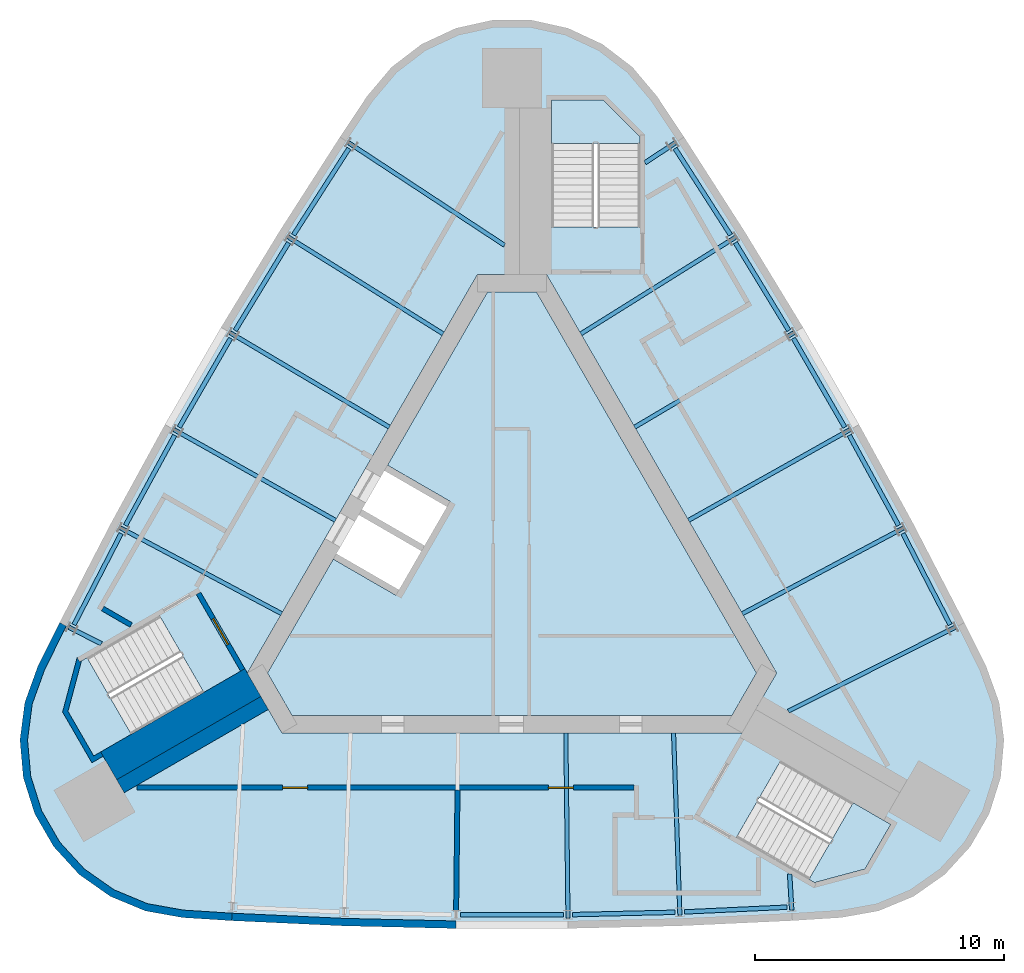
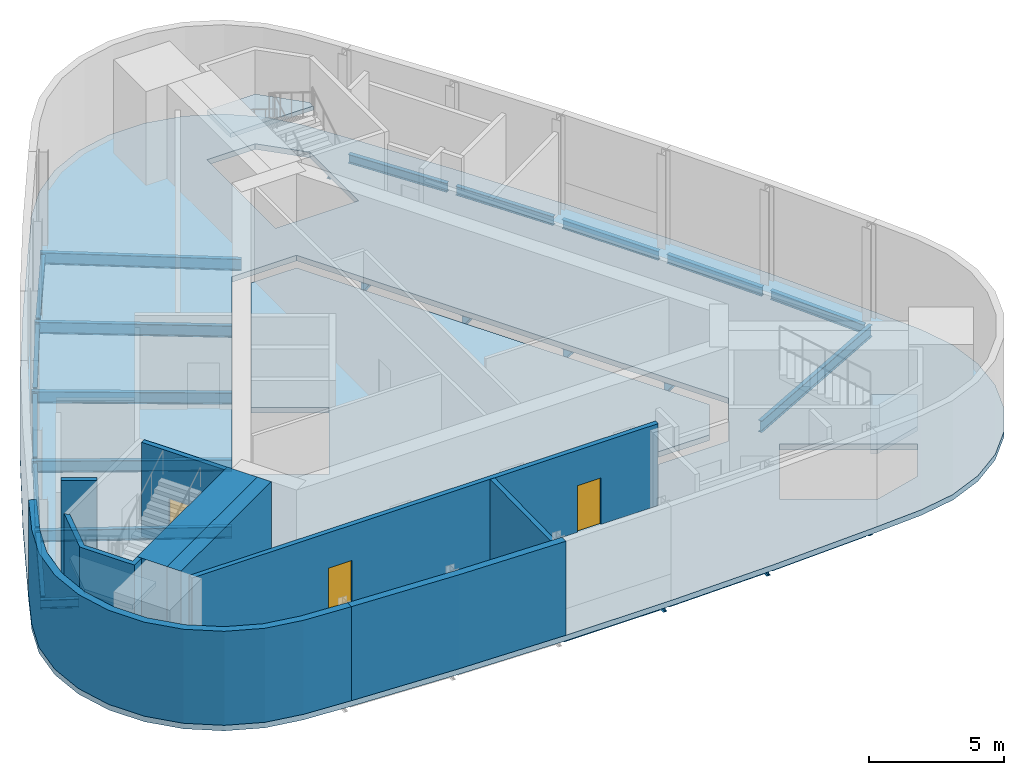
# One storey, part 3 of 7: 28 beams, 9 walls, 5 slabs, 3 doors, 3 openings, 3 elements without a shape of their own.
"""IFC4 building model written with IfcOpenShell, lengths in metres."""

from ifc_helpers import new_model, si_unit, direction, frame, frame_2d, origin, origin_2d, place, context, subcontext, project, spatial, polyline, rectangle, i_section, outline, extrude, material, layer, layer_set, material_profile, profile_set, type_object, element, fill, aggregate, save


model = new_model("IFC4")

# Units and contexts
model_context = context("Model", 3, precision=1e-05, world=origin(), true_north=direction((0.0, 1.0)))
body_context = subcontext(model_context, "Body", "Model", "MODEL_VIEW")
ifc_project = project(units=[si_unit("LENGTHUNIT", "METRE"), si_unit("AREAUNIT", "SQUARE_METRE"), si_unit("VOLUMEUNIT", "CUBIC_METRE"), si_unit("PLANEANGLEUNIT", "RADIAN"), si_unit("MASSUNIT", "GRAM", prefix="KILO")], contexts=[model_context])

# Site, building, storey
site_placement = place(None, origin())
site = spatial("IfcSite", under=ifc_project, at=site_placement, CompositionType="ELEMENT")
building_placement = place(site_placement, origin())
building = spatial("IfcBuilding", under=site, at=building_placement, Name="Noor Cloister Tower", CompositionType="ELEMENT")
storey_placement = place(building_placement, frame((0.0, 0.0, 279.60009765625)))
storey = spatial("IfcBuildingStorey", under=building, at=storey_placement, Name="L71", CompositionType="ELEMENT", Elevation=279.60009765625)

# Beams
ifc_material_1 = material(Name="Steel ASTM A992 Gr 50", Category="steel")
ifc_material_profile_1 = material_profile(ifc_material_1, i_section(OverallWidth=0.177978515625, OverallDepth=0.406005859375, WebThickness=0.0078125, FlangeThickness=0.0126953125, FilletRadius=0.01025390625, at=origin_2d()), Name="W410x60")
ifc_profile_set_1 = profile_set([ifc_material_profile_1], Name="Steel ASTM A992 Gr 50")
beam_type_1 = type_object("IfcBeamType", Name="Radial beam W410x60", PredefinedType="BEAM", material=ifc_profile_set_1)
for number, where, z_axis, x_axis, name in (
    (1, (-17.762451171875, -2.69921875, -0.453125), (0.893513410786, -0.449036507141, 0.0), (0.449036507141, 0.893513410786, 0.0), "Radial beam NW 06 L71"),
    (2, (11.218994140625, -14.033203125, -0.453125), (-0.058088486933, 0.998311438222, 0.0), (-0.998311438222, -0.058088486933, 0.0), "Radial beam S 06 L71"),
    (3, (6.543701171875, 16.732421875, -0.453125), (-0.835592525802, -0.549349734526, 0.0), (0.549349734526, -0.835592525802, 0.0), "Radial beam NE 06 L71"),
):
    element("IfcBeam", number, at=place(storey_placement, frame(where, z_axis=z_axis, x_axis=x_axis)), inside=storey, type_object=beam_type_1, Name=name, PredefinedType="BEAM", context=body_context, shape_type="SweptSolid", body=[
        extrude(i_section(OverallWidth=0.177978515625, OverallDepth=0.406005859375, WebThickness=0.0078125, FlangeThickness=0.0126953125, FilletRadius=0.01025390625, at=origin_2d()), origin(), (0.0, 0.0, 1.0), 1.44580078125),
    ])
ifc_material_2 = material(Name="Steel ASTM A992 Gr 50", Category="steel")
ifc_material_profile_2 = material_profile(ifc_material_2, i_section(OverallWidth=0.166015625, OverallDepth=0.528076171875, WebThickness=0.009765625, FlangeThickness=0.013671875, FilletRadius=0.0126953125, at=origin_2d()), Name="W530x74")
ifc_profile_set_2 = profile_set([ifc_material_profile_2], Name="Steel ASTM A992 Gr 50")
beam_type_2 = type_object("IfcBeamType", Name="Radial beam W530x74", PredefinedType="BEAM", material=ifc_profile_set_2)
beam_1_placement = place(storey_placement, frame((-6.543701171875, 16.732421875, -0.51416015625), z_axis=(0.835597066484, -0.549342827825, 0.0), x_axis=(0.549342827825, 0.835597066484, 0.0)))
element("IfcBeam", 4, at=beam_1_placement, inside=storey, type_object=beam_type_2, Name="Radial beam NW 01 L71", PredefinedType="BEAM", context=body_context, shape_type="SweptSolid", body=[
    extrude(i_section(OverallWidth=0.166015625, OverallDepth=0.528076171875, WebThickness=0.009765625, FlangeThickness=0.013671875, FilletRadius=0.0126953125, at=origin_2d()), origin(), (0.0, 0.0, 1.0), 7.47216796875),
])
beam_2_placement = place(storey_placement, frame((-8.966552734375, 12.952392578125, -0.51416015625), z_axis=(0.848095755563, -0.529842985606, 0.0), x_axis=(0.529842985606, 0.848095755563, 0.0)))
element("IfcBeam", 5, at=beam_2_placement, inside=storey, type_object=beam_type_2, Name="Radial beam NW 02 L71", PredefinedType="BEAM", context=body_context, shape_type="SweptSolid", body=[
    extrude(i_section(OverallWidth=0.166015625, OverallDepth=0.528076171875, WebThickness=0.009765625, FlangeThickness=0.013671875, FilletRadius=0.0126953125, at=origin_2d()), origin(), (0.0, 0.0, 1.0), 7.317626953125),
])
beam_3_placement = place(storey_placement, frame((-11.301025390625, 9.116943359375, -0.51416015625), z_axis=(0.8601674766, -0.510011678492, 0.0), x_axis=(0.510011678492, 0.8601674766, 0.0)))
element("IfcBeam", 6, at=beam_3_placement, inside=storey, type_object=beam_type_2, Name="Radial beam NW 03 L71", PredefinedType="BEAM", context=body_context, shape_type="SweptSolid", body=[
    extrude(i_section(OverallWidth=0.166015625, OverallDepth=0.528076171875, WebThickness=0.009765625, FlangeThickness=0.013671875, FilletRadius=0.0126953125, at=origin_2d()), origin(), (0.0, 0.0, 1.0), 7.41796875),
])
beam_4_placement = place(storey_placement, frame((-13.546142578125, 5.228515625, -0.51416015625), z_axis=(0.871771481583, -0.489912730901, 0.0), x_axis=(0.489912730901, 0.871771481583, 0.0)))
element("IfcBeam", 7, at=beam_4_placement, inside=storey, type_object=beam_type_2, Name="Radial beam NW 04 L71", PredefinedType="BEAM", context=body_context, shape_type="SweptSolid", body=[
    extrude(i_section(OverallWidth=0.166015625, OverallDepth=0.528076171875, WebThickness=0.009765625, FlangeThickness=0.013671875, FilletRadius=0.0126953125, at=origin_2d()), origin(), (0.0, 0.0, 1.0), 7.417724609375),
])
beam_5_placement = place(storey_placement, frame((-15.7001953125, 1.2890625, -0.51416015625), z_axis=(0.882900936167, -0.469559300745, 0.0), x_axis=(0.469559300745, 0.882900936167, 0.0)))
element("IfcBeam", 8, at=beam_5_placement, inside=storey, type_object=beam_type_2, Name="Radial beam NW 05 L71", PredefinedType="BEAM", context=body_context, shape_type="SweptSolid", body=[
    extrude(i_section(OverallWidth=0.166015625, OverallDepth=0.528076171875, WebThickness=0.009765625, FlangeThickness=0.013671875, FilletRadius=0.0126953125, at=origin_2d()), origin(), (0.0, 0.0, 1.0), 7.317626953125),
])
beam_6_placement = place(storey_placement, frame((2.244873046875, -14.345458984375, -0.51416015625), z_axis=(-0.011585411151, 0.999932886872, 0.0), x_axis=(-0.999932886872, -0.011585411151, 0.0)))
element("IfcBeam", 9, at=beam_6_placement, inside=storey, type_object=beam_type_2, Name="Radial beam S 04 L71", PredefinedType="BEAM", context=body_context, shape_type="SweptSolid", body=[
    extrude(i_section(OverallWidth=0.166015625, OverallDepth=0.528076171875, WebThickness=0.009765625, FlangeThickness=0.013671875, FilletRadius=0.0126953125, at=origin_2d()), origin(), (0.0, 0.0, 1.0), 7.417724609375),
])
beam_7_placement = place(storey_placement, frame((6.733642578125, -14.241455078125, -0.51416015625), z_axis=(-0.034764484893, 0.999395532605, 0.0), x_axis=(-0.999395532605, -0.034764484893, 0.0)))
element("IfcBeam", 10, at=beam_7_placement, inside=storey, type_object=beam_type_2, Name="Radial beam S 05 L71", PredefinedType="BEAM", context=body_context, shape_type="SweptSolid", body=[
    extrude(i_section(OverallWidth=0.166015625, OverallDepth=0.528076171875, WebThickness=0.009765625, FlangeThickness=0.013671875, FilletRadius=0.0126953125, at=origin_2d()), origin(), (0.0, 0.0, 1.0), 7.317626953125),
])
beam_8_placement = place(storey_placement, frame((17.762451171875, -2.69921875, -0.51416015625), z_axis=(-0.893543245424, -0.448977135897, 0.0), x_axis=(0.448977135897, -0.893543245424, 0.0)))
element("IfcBeam", 11, at=beam_8_placement, inside=storey, type_object=beam_type_2, Name="Radial beam NE 01 L71", PredefinedType="BEAM", context=body_context, shape_type="SweptSolid", body=[
    extrude(i_section(OverallWidth=0.166015625, OverallDepth=0.528076171875, WebThickness=0.009765625, FlangeThickness=0.013671875, FilletRadius=0.0126953125, at=origin_2d()), origin(), (0.0, 0.0, 1.0), 7.471923828125),
])
beam_9_placement = place(storey_placement, frame((15.7001953125, 1.2890625, -0.51416015625), z_axis=(-0.882900936167, -0.469559300745, 0.0), x_axis=(0.469559300745, -0.882900936167, 0.0)))
element("IfcBeam", 12, at=beam_9_placement, inside=storey, type_object=beam_type_2, Name="Radial beam NE 02 L71", PredefinedType="BEAM", context=body_context, shape_type="SweptSolid", body=[
    extrude(i_section(OverallWidth=0.166015625, OverallDepth=0.528076171875, WebThickness=0.009765625, FlangeThickness=0.013671875, FilletRadius=0.0126953125, at=origin_2d()), origin(), (0.0, 0.0, 1.0), 7.317626953125),
])
beam_10_placement = place(storey_placement, frame((13.546142578125, 5.228515625, -0.51416015625), z_axis=(-0.871771481583, -0.489912730901, 0.0), x_axis=(0.489912730901, -0.871771481583, 0.0)))
element("IfcBeam", 13, at=beam_10_placement, inside=storey, type_object=beam_type_2, Name="Radial beam NE 03 L71", PredefinedType="BEAM", context=body_context, shape_type="SweptSolid", body=[
    extrude(i_section(OverallWidth=0.166015625, OverallDepth=0.528076171875, WebThickness=0.009765625, FlangeThickness=0.013671875, FilletRadius=0.0126953125, at=origin_2d()), origin(), (0.0, 0.0, 1.0), 7.417724609375),
])
beam_11_placement = place(storey_placement, frame((11.301025390625, 9.116943359375, -0.51416015625), z_axis=(-0.8601674766, -0.510011678492, 0.0), x_axis=(0.510011678492, -0.8601674766, 0.0)))
element("IfcBeam", 14, at=beam_11_placement, inside=storey, type_object=beam_type_2, Name="Radial beam NE 04 L71", PredefinedType="BEAM", context=body_context, shape_type="SweptSolid", body=[
    extrude(i_section(OverallWidth=0.166015625, OverallDepth=0.528076171875, WebThickness=0.009765625, FlangeThickness=0.013671875, FilletRadius=0.0126953125, at=origin_2d()), origin(), (0.0, 0.0, 1.0), 7.41796875),
])
beam_12_placement = place(storey_placement, frame((8.966552734375, 12.952392578125, -0.51416015625), z_axis=(-0.848095755563, -0.529842985606, 0.0), x_axis=(0.529842985606, -0.848095755563, 0.0)))
element("IfcBeam", 15, at=beam_12_placement, inside=storey, type_object=beam_type_2, Name="Radial beam NE 05 L71", PredefinedType="BEAM", context=body_context, shape_type="SweptSolid", body=[
    extrude(i_section(OverallWidth=0.166015625, OverallDepth=0.528076171875, WebThickness=0.009765625, FlangeThickness=0.013671875, FilletRadius=0.0126953125, at=origin_2d()), origin(), (0.0, 0.0, 1.0), 7.317626953125),
])
ifc_material_3 = material(Name="Steel ASTM A992 Gr 50", Category="steel")
ifc_material_profile_3 = material_profile(ifc_material_3, i_section(OverallWidth=0.177978515625, OverallDepth=0.406005859375, WebThickness=0.0078125, FlangeThickness=0.0126953125, FilletRadius=0.01025390625, at=origin_2d()), Name="W410x60")
ifc_profile_set_3 = profile_set([ifc_material_profile_3], Name="Steel ASTM A992 Gr 50")
beam_type_3 = type_object("IfcBeamType", Name="Spandrel beam W410x60", PredefinedType="SPANDREL", material=ifc_profile_set_3)
for number, where, z_axis, x_axis, name in (
    (16, (-6.541015625, 16.510498046875, -0.453125), (-0.539591790673, -0.841926777956, 0.0), (0.841926777956, -0.539591790673, 0.0), "Spandrel beam NW 01 L71"),
    (17, (-8.958740234375, 12.73046875, -0.453125), (-0.519967629608, -0.854185965794, 0.0), (0.854185965794, -0.519967629608, 0.0), "Spandrel beam NW 02 L71"),
    (18, (-11.2880859375, 8.8955078125, -0.453125), (-0.499989236795, -0.866031617834, 0.0), (0.866031617834, -0.499989236795, 0.0), "Spandrel beam NW 03 L71"),
    (19, (-13.528076171875, 5.00732421875, -0.453125), (-0.479794519486, -0.877380885973, 0.0), (0.877380885973, -0.479794519486, 0.0), "Spandrel beam NW 04 L71"),
    (20, (-15.677001953125, 1.068359375, -0.453125), (-0.459334235581, -0.888263508213, 0.0), (0.888263508213, -0.459334235581, 0.0), "Spandrel beam NW 05 L71"),
    (21, (-2.0595703125, -14.2236328125, -0.453125), (1.0, 0.0, 0.0), (0.0, 1.0, 0.0), "Spandrel beam S 03 L71"),
):
    element("IfcBeam", number, at=place(storey_placement, frame(where, z_axis=z_axis, x_axis=x_axis)), inside=storey, type_object=beam_type_3, Name=name, PredefinedType="SPANDREL", context=body_context, shape_type="SweptSolid", body=[
        extrude(i_section(OverallWidth=0.177978515625, OverallDepth=0.406005859375, WebThickness=0.0078125, FlangeThickness=0.0126953125, FilletRadius=0.01025390625, at=origin_2d()), origin(), (0.0, 0.0, 1.0), 4.119140625),
    ])
beam_13_placement = place(storey_placement, frame((2.427490234375, -14.21923828125, -0.453125), z_axis=(0.999731452345, 0.023173760841, 0.0), x_axis=(-0.023173760841, 0.999731452345, 0.0)))
element("IfcBeam", 22, at=beam_13_placement, inside=storey, type_object=beam_type_3, Name="Spandrel beam S 04 L71", PredefinedType="SPANDREL", context=body_context, shape_type="SweptSolid", body=[
    extrude(i_section(OverallWidth=0.177978515625, OverallDepth=0.406005859375, WebThickness=0.0078125, FlangeThickness=0.0126953125, FilletRadius=0.01025390625, at=origin_2d()), origin(), (0.0, 0.0, 1.0), 4.119384765625),
])
for number, where, z_axis, x_axis, name in (
    (23, (6.913330078125, -14.11083984375, -0.453125), (0.998925325351, 0.046348617801, 0.0), (-0.046348617801, 0.998925325351, 0.0), "Spandrel beam S 05 L71"),
    (24, (17.569091796875, -2.590576171875, -0.453125), (-0.459334235581, 0.888263508213, 0.0), (-0.888263508213, -0.459334235581, 0.0), "Spandrel beam NE 01 L71"),
    (25, (15.50439453125, 1.393310546875, -0.453125), (-0.479794519486, 0.877380885973, 0.0), (-0.877380885973, -0.479794519486, 0.0), "Spandrel beam NE 02 L71"),
    (26, (13.34765625, 5.328125, -0.453125), (-0.499989236795, 0.866031617834, 0.0), (-0.866031617834, -0.499989236795, 0.0), "Spandrel beam NE 03 L71"),
    (27, (11.1005859375, 9.2119140625, -0.453125), (-0.519967629608, 0.854185965794, 0.0), (-0.854185965794, -0.519967629608, 0.0), "Spandrel beam NE 04 L71"),
    (28, (8.763671875, 13.04248046875, -0.453125), (-0.539591790673, 0.841926777956, 0.0), (-0.841926777956, -0.539591790673, 0.0), "Spandrel beam NE 05 L71"),
):
    element("IfcBeam", number, at=place(storey_placement, frame(where, z_axis=z_axis, x_axis=x_axis)), inside=storey, type_object=beam_type_3, Name=name, PredefinedType="SPANDREL", context=body_context, shape_type="SweptSolid", body=[
        extrude(i_section(OverallWidth=0.177978515625, OverallDepth=0.406005859375, WebThickness=0.0078125, FlangeThickness=0.0126953125, FilletRadius=0.01025390625, at=origin_2d()), origin(), (0.0, 0.0, 1.0), 4.119140625),
    ])

# Slabs
ifc_material_4 = material(Name="Concrete C40/50", Category="concrete")
ifc_layer_1 = layer(ifc_material_4, 0.25)
ifc_layer_set_1 = layer_set([ifc_layer_1], Name="Core floor slab 250 C40/50")
slab_type_1 = type_object("IfcSlabType", Name="Core floor slab 250 C40/50", PredefinedType="FLOOR", material=ifc_layer_set_1)
slab_1_placement = place(storey_placement, frame((0.0, 0.0, -0.25)))
element("IfcSlab", 29, at=slab_1_placement, inside=storey, type_object=slab_type_1, Name="Core floor L71", PredefinedType="FLOOR", context=body_context, shape_type="SweptSolid", body=[
    extrude(outline(polyline([(-4.993896484375, 3.806884765625), (-2.482421875, 2.35693359375), (-4.6572265625, -1.410400390625), (-7.168701171875, 0.039794921875), (-9.80615234375, -4.5283203125), (-8.82470703125, -6.228271484375), (8.82470703125, -6.228271484375), (9.80615234375, -4.5283203125), (0.9814453125, 10.75634765625), (-0.9814453125, 10.75634765625), (-4.993896484375, 3.806884765625)])), origin(), (0.0, 0.0, 1.0), 0.25),
])
ifc_material_5 = material(Name="Concrete C40/50", Category="concrete")
ifc_layer_2 = layer(ifc_material_5, 0.25)
ifc_layer_set_2 = layer_set([ifc_layer_2], Name="Floor slab 250 C40/50")
slab_type_2 = type_object("IfcSlabType", Name="Floor slab 250 C40/50", PredefinedType="FLOOR", material=ifc_layer_set_2)
slab_2_placement = place(storey_placement, frame((0.0, 0.0, -0.25)))
element("IfcSlab", 30, at=slab_2_placement, inside=storey, type_object=slab_type_2, Name="Floor slab L71", PredefinedType="FLOOR", context=body_context, shape_type="SweptSolid", body=[
    extrude(outline(polyline([(5.809814453125, 18.609619140625), (4.830078125, 19.771484375), (3.62255859375, 20.69482421875), (2.244140625, 21.33544921875), (0.760009765625, 21.66357421875), (-0.760009765625, 21.66357421875), (-2.244140625, 21.33544921875), (-3.62255859375, 20.69482421875), (-4.830078125, 19.771484375), (-5.809814453125, 18.609619140625), (-6.9013671875, 16.967529296875), (-9.32958984375, 13.178955078125), (-11.669189453125, 9.335205078125), (-13.919189453125, 5.438232421875), (-16.078125, 1.489990234375), (-18.14501953125, -2.507080078125), (-19.021240234375, -4.2734375), (-19.53759765625, -5.702880859375), (-19.7333984375, -7.210205078125), (-19.59912109375, -8.724365234375), (-19.14111328125, -10.173583984375), (-18.381103515625, -11.489990234375), (-17.35498046875, -12.611083984375), (-16.11083984375, -13.484619140625), (-14.707763671875, -14.068603515625), (-13.21142578125, -14.336181640625), (-11.24365234375, -14.46044921875), (-6.74853515625, -14.669189453125), (-2.25, -14.7734375), (2.25, -14.7734375), (6.74853515625, -14.669189453125), (11.24365234375, -14.46044921875), (13.21142578125, -14.336181640625), (14.707763671875, -14.068603515625), (16.11083984375, -13.484619140625), (17.35498046875, -12.611083984375), (18.381103515625, -11.489990234375), (19.14111328125, -10.173583984375), (19.59912109375, -8.724365234375), (19.7333984375, -7.210205078125), (19.53759765625, -5.702880859375), (19.021240234375, -4.2734375), (18.14501953125, -2.507080078125), (16.078125, 1.489990234375), (13.919189453125, 5.438232421875), (11.669189453125, 9.335205078125), (9.32958984375, 13.178955078125), (6.9013671875, 16.967529296875), (5.809814453125, 18.609619140625)]), holes=[polyline([(8.999755859375, -11.126220703125), (12.131591796875, -12.934326171875), (14.1572265625, -12.3916015625), (15.19091796875, -10.601318359375), (10.774658203125, -8.0517578125), (8.999755859375, -11.126220703125)]), polyline([(-17.81005859375, -6.064697265625), (-16.776611328125, -7.85498046875), (-12.3603515625, -5.305419921875), (-14.13525390625, -2.23095703125), (-16.662841796875, -3.690185546875), (-17.267333984375, -4.039306640625), (-17.81005859375, -6.064697265625)]), polyline([(-10.6142578125, -4.5283203125), (-9.228759765625, -6.92822265625), (9.228759765625, -6.92822265625), (10.6142578125, -4.5283203125), (1.3857421875, 11.456298828125), (-1.3857421875, 11.456298828125), (-10.6142578125, -4.5283203125)]), polyline([(3.65283203125, 18.456298828125), (1.585693359375, 18.456298828125), (1.585693359375, 13.35693359375), (5.135498046875, 13.35693359375), (5.135498046875, 16.9736328125), (3.65283203125, 18.456298828125)])]), origin(), (0.0, 0.0, 1.0), 0.25),
])

# Stair, slab
ifc_material_6 = material(Name="Concrete C40/50", Category="concrete")
stair_type = type_object("IfcStairType", Name="Exit stair 26 risers", PredefinedType="HALF_TURN_STAIR", material=ifc_material_6)
stair_1_placement = place(storey_placement, origin())
stair_1 = element("IfcStair", 31, at=stair_1_placement, inside=storey, type_object=stair_type, Name="Exit stair ST1 L71", PredefinedType="HALF_TURN_STAIR")
ifc_material_7 = material(Name="Concrete C40/50", Category="concrete")
ifc_layer_3 = layer(ifc_material_7, 0.199951171875)
ifc_layer_set_3 = layer_set([ifc_layer_3], Name="Stair landing 200 C40/50")
slab_type_3 = type_object("IfcSlabType", Name="Stair landing 200 C40/50", PredefinedType="LANDING", material=ifc_layer_set_3)
slab_3_placement = place(storey_placement, frame((0.0, 0.0, 2.0498046875)))
slab_3 = element("IfcSlab", 32, at=slab_3_placement, type_object=slab_type_3, Name="ST1 landing 1", PredefinedType="LANDING", context=body_context, shape_type="SweptSolid", body=[
    extrude(outline(polyline([(5.135498046875, 16.7158203125), (5.135498046875, 16.9736328125), (3.65283203125, 18.456298828125), (1.585693359375, 18.456298828125), (1.585693359375, 16.7158203125), (5.135498046875, 16.7158203125)])), origin(), (0.0, 0.0, 1.0), 0.2001953125),
])
aggregate(stair_1, [slab_3])

stair_2_placement = place(storey_placement, origin())
stair_2 = element("IfcStair", 33, at=stair_2_placement, inside=storey, type_object=stair_type, Name="Exit stair ST2 L71", PredefinedType="HALF_TURN_STAIR")
slab_4_placement = place(storey_placement, frame((0.0, 0.0, 2.0498046875)))
slab_4 = element("IfcSlab", 34, at=slab_4_placement, type_object=slab_type_3, Name="ST2 landing 1", PredefinedType="LANDING", context=body_context, shape_type="SweptSolid", body=[
    extrude(outline(polyline([(-17.044189453125, -3.910400390625), (-17.267333984375, -4.039306640625), (-17.81005859375, -6.064697265625), (-16.776611328125, -7.85498046875), (-15.26904296875, -6.984619140625), (-17.044189453125, -3.910400390625)])), origin(), (0.0, 0.0, 1.0), 0.2001953125),
])
aggregate(stair_2, [slab_4])

stair_3_placement = place(storey_placement, origin())
stair_3 = element("IfcStair", 35, at=stair_3_placement, inside=storey, type_object=stair_type, Name="Exit stair ST3 L71", PredefinedType="HALF_TURN_STAIR")
slab_5_placement = place(storey_placement, frame((0.0, 0.0, 2.0498046875)))
slab_5 = element("IfcSlab", 36, at=slab_5_placement, type_object=slab_type_3, Name="ST3 landing 1", PredefinedType="LANDING", context=body_context, shape_type="SweptSolid", body=[
    extrude(outline(polyline([(11.908447265625, -12.805419921875), (12.131591796875, -12.934326171875), (14.1572265625, -12.3916015625), (15.19091796875, -10.601318359375), (13.68359375, -9.731201171875), (11.908447265625, -12.805419921875)])), origin(), (0.0, 0.0, 1.0), 0.2001953125),
])
aggregate(stair_3, [slab_5])

# Walls
ifc_material_8 = material(Name="Concrete C50/60", Category="concrete")
ifc_layer_4 = layer(ifc_material_8, 0.60009765625)
ifc_layer_set_4 = layer_set([ifc_layer_4], Name="Buttress wall 600 C50/60")
wall_type_1 = type_object("IfcWallType", Name="Buttress wall 600 C50/60", PredefinedType="SHEAR", material=ifc_layer_set_4)
wall_1_placement = place(storey_placement, frame((-9.921630859375, -5.728271484375, -0.25), z_axis=(0.0, 0.0, 1.0), x_axis=(-0.866032176823, -0.499988268569, 0.0)))
element("IfcWall", 37, at=wall_1_placement, inside=storey, type_object=wall_type_1, Name="Buttress wall SW L71", PredefinedType="SHEAR", context=body_context, shape_type="SweptSolid", body=[
    extrude(rectangle(XDim=6.678466796875, YDim=0.60009765625, at=frame_2d((3.33935546875, 0.0))), origin(), (0.0, 0.0, 1.0), 4.5),
])
ifc_material_9 = material(Name="Limestone", Category="masonry")
ifc_layer_5 = layer(ifc_material_9, 0.300048828125)
ifc_layer_set_5 = layer_set([ifc_layer_5], Name="Limestone cladding 300")
wall_type_2 = type_object("IfcWallType", Name="Limestone cladding 300", PredefinedType="NOTDEFINED", material=ifc_layer_set_5)
wall_2_placement = place(storey_placement, origin())
element("IfcWall", 38, at=wall_2_placement, inside=storey, type_object=wall_type_2, Name="Limestone pier cladding L71 1.1", PredefinedType="NOTDEFINED", context=body_context, shape_type="SweptSolid", body=[
    extrude(outline(polyline([(-18.14501953125, -2.507080078125), (-19.021240234375, -4.2734375), (-19.53759765625, -5.702880859375), (-19.7333984375, -7.210205078125), (-19.59912109375, -8.724365234375), (-19.14111328125, -10.173583984375), (-18.381103515625, -11.489990234375), (-17.35498046875, -12.611083984375), (-16.11083984375, -13.484619140625), (-14.707763671875, -14.068603515625), (-13.21142578125, -14.336181640625), (-11.24365234375, -14.46044921875), (-11.224853515625, -14.1611328125), (-13.175537109375, -14.037841796875), (-14.62255859375, -13.779052734375), (-15.96533203125, -13.22021484375), (-17.15576171875, -12.384521484375), (-18.1376953125, -11.3115234375), (-18.864990234375, -10.052001953125), (-19.30322265625, -8.6650390625), (-19.431640625, -7.21630859375), (-19.244384765625, -5.77392578125), (-18.744873046875, -4.391357421875), (-17.876220703125, -2.640380859375), (-18.14501953125, -2.507080078125)])), origin(), (0.0, 0.0, 1.0), 4.25),
])
ifc_material_10 = material(Name="Limestone", Category="masonry")
ifc_layer_6 = layer(ifc_material_10, 0.300048828125)
ifc_layer_set_6 = layer_set([ifc_layer_6], Name="Limestone panel wall 300")
wall_type_3 = type_object("IfcWallType", Name="Limestone panel wall 300", PredefinedType="NOTDEFINED", material=ifc_layer_set_6)
wall_3_placement = place(storey_placement, origin())
element("IfcWall", 39, at=wall_3_placement, inside=storey, type_object=wall_type_3, Name="Limestone crown wall L71 2a", PredefinedType="NOTDEFINED", context=body_context, shape_type="SweptSolid", body=[
    extrude(outline(polyline([(-11.24365234375, -14.46044921875), (-6.74853515625, -14.669189453125), (-2.25, -14.7734375), (-2.242919921875, -14.4736328125), (-6.73828125, -14.369384765625), (-11.229736328125, -14.160888671875), (-11.24365234375, -14.46044921875)])), origin(), (0.0, 0.0, 1.0), 4.25),
])
ifc_material_11 = material(Name="Concrete C50/60", Category="concrete")
ifc_layer_7 = layer(ifc_material_11, 1.285888671875)
ifc_layer_set_7 = layer_set([ifc_layer_7], Name="Stair enclosure wall 1286 C50/60")
wall_type_4 = type_object("IfcWallType", Name="Stair enclosure wall 1286 C50/60", PredefinedType="SHEAR", material=ifc_layer_set_7)
wall_4_placement = place(storey_placement, frame((-10.392822265625, -4.91162109375, -0.25), z_axis=(0.0, 0.0, 1.0), x_axis=(-0.866025486527, -0.499999856685, 0.0)))
element("IfcWall", 40, at=wall_4_placement, inside=storey, type_object=wall_type_4, Name="Stair enclosure wall ST2 L71 riser side", PredefinedType="SHEAR", context=body_context, shape_type="SweptSolid", body=[
    extrude(rectangle(XDim=6.6787109375, YDim=1.28564453125, at=frame_2d((3.33935546875, 0.0))), origin(), (0.0, 0.0, 1.0), 4.5),
])

# Wall, opening, door
ifc_material_12 = material(Name="Concrete C50/60", Category="concrete")
ifc_layer_8 = layer(ifc_material_12, 0.199951171875)
ifc_layer_set_8 = layer_set([ifc_layer_8], Name="Stair enclosure wall 200 C50/60")
wall_type_5 = type_object("IfcWallType", Name="Stair enclosure wall 200 C50/60", PredefinedType="SHEAR", material=ifc_layer_set_8)
wall_5_placement = place(storey_placement, frame((-12.575927734375, -1.33056640625, -0.25), z_axis=(0.0, 0.0, 1.0), x_axis=(0.499970499736, -0.8660424351, 0.0)))
wall_5 = element("IfcWall", 41, at=wall_5_placement, inside=storey, type_object=wall_type_5, Name="Stair enclosure wall ST2 L71 near end", PredefinedType="SHEAR", context=body_context, shape_type="SweptSolid", body=[
    extrude(rectangle(XDim=3.550048828125, YDim=0.199951171875, at=frame_2d((1.77490234375, 0.0))), origin(), (0.0, 0.0, 1.0), 4.5),
])
opening_1_placement = place(wall_5_placement, frame((1.175048828125, 0.0, 0.25)))
opening_1 = element("IfcOpeningElement", 42, at=opening_1_placement, cuts=wall_5, Name="Opening L71-ST2L", PredefinedType="OPENING", context=body_context, shape_type="SweptSolid", body=[
    extrude(rectangle(XDim=1.199951171875, YDim=2.10009765625, at=frame_2d((0.60009765625, 1.050048828125))), frame((0.0, 0.10986328125, 0.0), z_axis=(0.0, -1.0, 0.0), x_axis=(1.0, 0.0, 0.0)), (0.0, 0.0, 1.0), 0.219970703125),
])
ifc_material_13 = material(Name="Steel", Category="steel")
door_type_1 = type_object("IfcDoorType", Name="Stair door 1200 x 2100 FD120", OperationType="SINGLE_SWING_LEFT", PredefinedType="DOOR", material=ifc_material_13)
door_1_placement = place(opening_1_placement, origin())
door_1 = element("IfcDoor", 43, at=door_1_placement, inside=storey, type_object=door_type_1, Name="Stair door ST2 L71", OperationType="SINGLE_SWING_RIGHT", OverallHeight=2.10009765625, OverallWidth=1.199951171875, PredefinedType="DOOR", context=body_context, shape_type="SweptSolid", body=[
    extrude(rectangle(XDim=1.199951171875, YDim=2.10009765625, at=frame_2d((0.60009765625, 1.050048828125))), frame((0.0, 0.02490234375, 0.0), z_axis=(0.0, -1.0, 0.0), x_axis=(1.0, 0.0, 0.0)), (0.0, 0.0, 1.0), 0.050048828125),
])
fill(opening_1, door_1)

# Walls
ifc_material_14 = material(Name="Concrete C50/60", Category="concrete")
wall_type_6 = type_object("IfcWallType", Name="Stair far end wall C50/60", PredefinedType="SHEAR", material=ifc_material_14)
wall_6_placement = place(storey_placement, frame((0.0, 0.0, -0.25)))
element("IfcWall", 44, at=wall_6_placement, inside=storey, type_object=wall_type_6, Name="Stair enclosure wall ST2 L71 far end", PredefinedType="SHEAR", context=body_context, shape_type="SweptSolid", body=[
    extrude(outline(polyline([(-17.439208984375, -3.907470703125), (-18.024658203125, -6.093017578125), (-16.849609375, -8.128173828125), (-16.398193359375, -7.867431640625), (-16.498291015625, -7.6943359375), (-16.498291015625, -7.6943359375), (-16.776611328125, -7.85498046875), (-17.81005859375, -6.064697265625), (-17.267333984375, -4.039306640625), (-17.339111328125, -4.08056640625), (-17.339111328125, -4.08056640625), (-17.339111328125, -4.08056640625), (-17.339111328125, -4.08056640625), (-17.339111328125, -4.08056640625), (-17.339111328125, -4.08056640625), (-17.339111328125, -4.08056640625), (-17.339111328125, -4.08056640625), (-17.339111328125, -4.08056640625), (-17.339111328125, -4.08056640625), (-17.339111328125, -4.08056640625), (-17.339111328125, -4.08056640625), (-17.339111328125, -4.08056640625), (-17.339111328125, -4.08056640625), (-17.339111328125, -4.08056640625), (-17.339111328125, -4.08056640625), (-17.339111328125, -4.08056640625), (-17.439208984375, -3.907470703125)])), origin(), (0.0, 0.0, 1.0), 4.5),
])
ifc_material_15 = material(Name="Concrete block wall, 200 mm", Category="concrete")
ifc_layer_9 = layer(ifc_material_15, 0.199951171875)
ifc_layer_set_9 = layer_set([ifc_layer_9], Name="Upper floor plant room wall 200")
wall_type_7 = type_object("IfcWallType", Name="Upper floor plant room wall 200", PredefinedType="PARTITIONING", material=ifc_layer_set_9)
wall_7_placement = place(storey_placement, frame((-16.4208984375, -1.942138671875, 0.0), z_axis=(0.0, 0.0, 1.0), x_axis=(0.865991484893, -0.500058744641, 0.0)))
element("IfcWall", 45, at=wall_7_placement, inside=storey, type_object=wall_type_7, Name="Upper floor plant room wall 200 L71 006", PredefinedType="PARTITIONING", context=body_context, shape_type="SweptSolid", body=[
    extrude(rectangle(XDim=1.319580078125, YDim=0.199951171875, at=frame_2d((0.65966796875, 0.0))), origin(), (0.0, 0.0, 1.0), 4.25),
])

# Wall, openings, doors
wall_8_placement = place(storey_placement, frame((-15.037353515625, -9.128173828125, 0.0), z_axis=(0.0, 0.0, 1.0), x_axis=(1.0, 0.0, 0.0)))
wall_8 = element("IfcWall", 46, at=wall_8_placement, inside=storey, type_object=wall_type_7, Name="Upper floor plant room wall 200 L71 010", PredefinedType="PARTITIONING", context=body_context, shape_type="SweptSolid", body=[
    extrude(rectangle(XDim=19.937255859375, YDim=0.199951171875, at=frame_2d((9.96875, 0.0))), origin(), (0.0, 0.0, 1.0), 3.701904296875),
])
opening_2_placement = place(wall_8_placement, frame((5.83984375, 0.0, 0.0)))
opening_2 = element("IfcOpeningElement", 47, at=opening_2_placement, cuts=wall_8, Name="Opening L71-004", PredefinedType="OPENING", context=body_context, shape_type="SweptSolid", body=[
    extrude(rectangle(XDim=1.0, YDim=2.10009765625, at=frame_2d((0.5, 1.050048828125))), frame((0.0, 0.10986328125, 0.0), z_axis=(0.0, -1.0, 0.0), x_axis=(1.0, 0.0, 0.0)), (0.0, 0.0, 1.0), 0.219970703125),
])
opening_3_placement = place(wall_8_placement, frame((16.49462890625, 0.0, 0.0)))
opening_3 = element("IfcOpeningElement", 48, at=opening_3_placement, cuts=wall_8, Name="Opening L71-005", PredefinedType="OPENING", context=body_context, shape_type="SweptSolid", body=[
    extrude(rectangle(XDim=1.0, YDim=2.10009765625, at=frame_2d((0.5, 1.050048828125))), frame((0.0, 0.10986328125, 0.0), z_axis=(0.0, -1.0, 0.0), x_axis=(1.0, 0.0, 0.0)), (0.0, 0.0, 1.0), 0.219970703125),
])
ifc_material_16 = material(Name="Timber door leaf with steel frame", Category="steel")
door_type_2 = type_object("IfcDoorType", Name="Plant room door 1000", OperationType="NOTDEFINED", PredefinedType="DOOR", material=ifc_material_16)
door_2_placement = place(opening_2_placement, origin())
door_2 = element("IfcDoor", 49, at=door_2_placement, inside=storey, type_object=door_type_2, Name="Plant room door 1000 L71-004", OperationType="SINGLE_SWING_LEFT", OverallHeight=2.10009765625, OverallWidth=1.0, PredefinedType="DOOR", context=body_context, shape_type="SweptSolid", body=[
    extrude(rectangle(XDim=1.0, YDim=2.10009765625, at=frame_2d((0.5, 1.050048828125))), frame((0.0, 0.02490234375, 0.0), z_axis=(0.0, -1.0, 0.0), x_axis=(1.0, 0.0, 0.0)), (0.0, 0.0, 1.0), 0.050048828125),
])
fill(opening_2, door_2)
door_3_placement = place(opening_3_placement, origin())
door_3 = element("IfcDoor", 50, at=door_3_placement, inside=storey, type_object=door_type_2, Name="Plant room door 1000 L71-005", OperationType="SINGLE_SWING_RIGHT", OverallHeight=2.10009765625, OverallWidth=1.0, PredefinedType="DOOR", context=body_context, shape_type="SweptSolid", body=[
    extrude(rectangle(XDim=1.0, YDim=2.10009765625, at=frame_2d((0.5, 1.050048828125))), frame((0.0, 0.02490234375, 0.0), z_axis=(0.0, -1.0, 0.0), x_axis=(1.0, 0.0, 0.0)), (0.0, 0.0, 1.0), 0.050048828125),
])
fill(opening_3, door_3)

# Wall
wall_9_placement = place(storey_placement, frame((-2.24169921875, -14.073486328125, 0.0), z_axis=(0.0, 0.0, 1.0), x_axis=(0.011540988294, 0.999933400577, 0.0)))
element("IfcWall", 51, at=wall_9_placement, inside=storey, type_object=wall_type_7, Name="Upper floor plant room wall 200 L71 011", PredefinedType="PARTITIONING", context=body_context, shape_type="SweptSolid", body=[
    extrude(rectangle(XDim=4.84423828125, YDim=0.199951171875, at=frame_2d((2.422119140625, 0.0))), origin(), (0.0, 0.0, 1.0), 3.701904296875),
])

save(model, "model.ifc")
